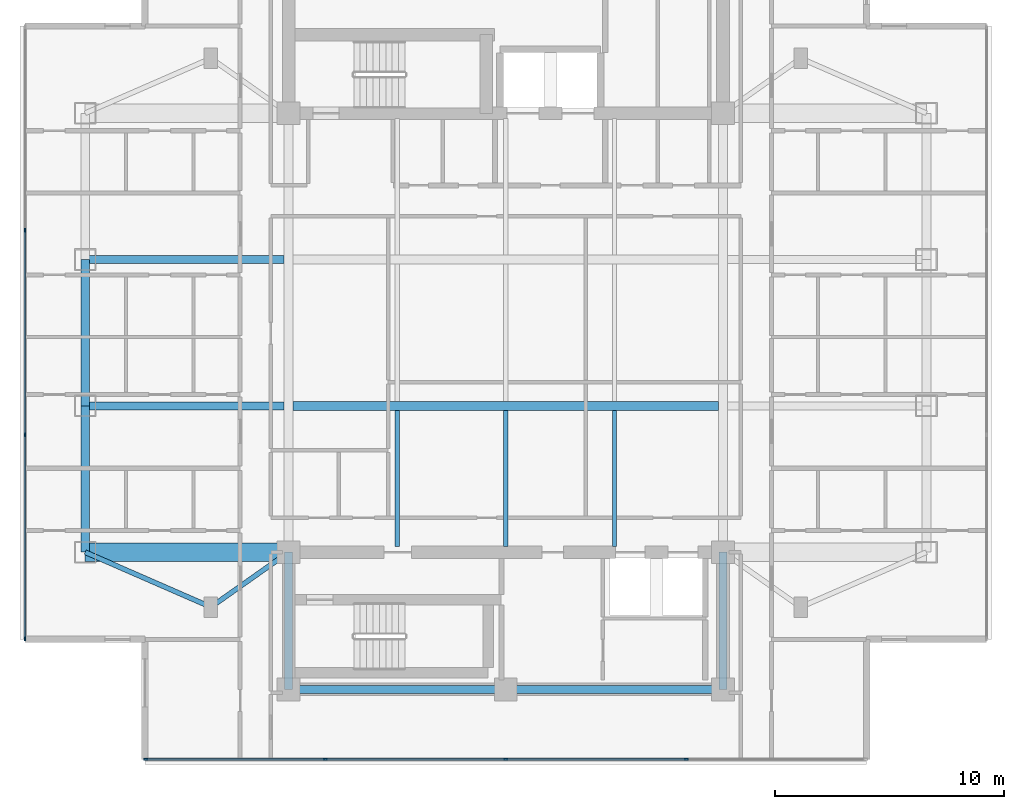
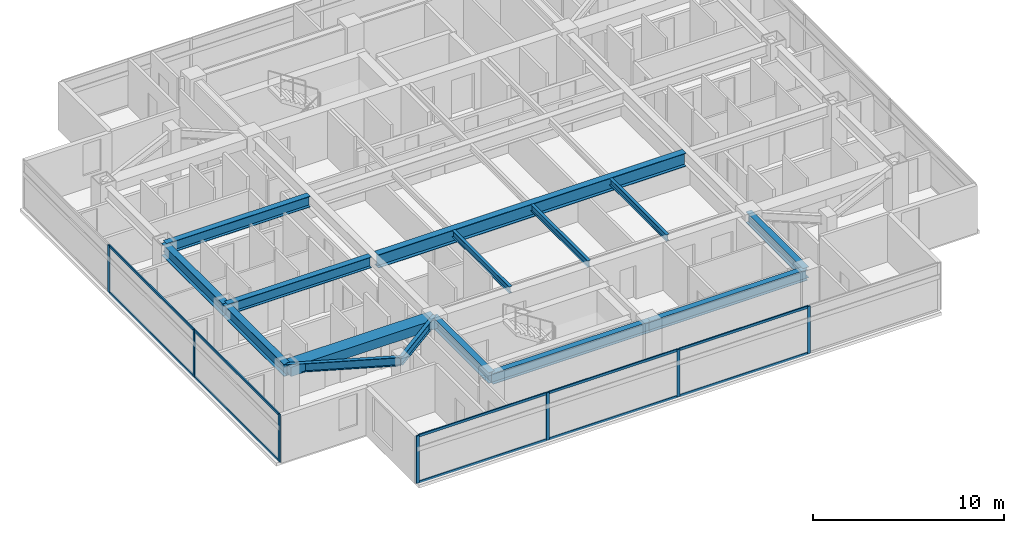
# One storey, part 2 of 26: 17 members, 15 beams, 2 elements without a shape of their own.
"""IFC4 building model written with IfcOpenShell, lengths in metres."""

from ifc_helpers import new_model, si_unit, direction, frame, origin, origin_2d, place, context, subcontext, project, spatial, rectangle, i_section, extrude, material, material_profile, profile_set, type_object, element, aggregate, save


model = new_model("IFC4")

# Units and contexts
model_context = context("Model", 3, precision=1e-05, world=origin(), true_north=direction((0.0, 1.0)))
body_context = subcontext(model_context, "Body", "Model", "MODEL_VIEW")
ifc_project = project(units=[si_unit("LENGTHUNIT", "METRE"), si_unit("AREAUNIT", "SQUARE_METRE"), si_unit("VOLUMEUNIT", "CUBIC_METRE"), si_unit("PLANEANGLEUNIT", "RADIAN"), si_unit("MASSUNIT", "GRAM", prefix="KILO")], contexts=[model_context])

# Site, building, storey
site_placement = place(None, origin())
site = spatial("IfcSite", under=ifc_project, at=site_placement, CompositionType="ELEMENT")
building_placement = place(site_placement, origin())
building = spatial("IfcBuilding", under=site, at=building_placement, Name="Mirazonda Arch Towers", CompositionType="ELEMENT")
storey_placement = place(building_placement, frame((0.0, 0.0, 170.64990234375)))
storey = spatial("IfcBuildingStorey", under=building, at=storey_placement, Name="L48", CompositionType="ELEMENT", Elevation=170.64990234375)

# Beams
ifc_material_1 = material(Name="Steel ASTM A992 Grade 50", Category="steel")
ifc_material_profile_1 = material_profile(ifc_material_1, i_section(OverallWidth=0.381103515625, OverallDepth=0.77294921875, WebThickness=0.0166015625, FlangeThickness=0.027099609375, at=origin_2d()), Name="W30X173")
ifc_profile_set_1 = profile_set([ifc_material_profile_1], Name="Steel ASTM A992 Grade 50")
beam_type_1 = type_object("IfcBeamType", Name="BM-EXT-W30X173", PredefinedType="USERDEFINED", material=ifc_profile_set_1)
beam_1_placement = place(storey_placement, frame((2.10009765625, 18.39990234375, 2.66357421875), z_axis=(0.0, 1.0, 0.0), x_axis=(-1.0, 0.0, 0.0)))
element("IfcBeam", 1, at=beam_1_placement, inside=storey, type_object=beam_type_1, Name="L48 Floor Beam BM-T1-L48-NS-W-18", ObjectType="GIRDER", PredefinedType="USERDEFINED", context=body_context, shape_type="SweptSolid", body=[
    extrude(i_section(OverallWidth=0.381103515625, OverallDepth=0.77294921875, WebThickness=0.0166015625, FlangeThickness=0.027099609375, at=origin_2d()), origin(), (0.0, 0.0, 1.0), 6.400146484375),
])
beam_2_placement = place(storey_placement, frame((2.10009765625, 24.800048828125, 2.66357421875), z_axis=(0.0, 1.0, 0.0), x_axis=(-1.0, 0.0, 0.0)))
element("IfcBeam", 2, at=beam_2_placement, inside=storey, type_object=beam_type_1, Name="L48 Floor Beam BM-T1-L48-NS-W-24", ObjectType="GIRDER", PredefinedType="USERDEFINED", context=body_context, shape_type="SweptSolid", body=[
    extrude(i_section(OverallWidth=0.381103515625, OverallDepth=0.77294921875, WebThickness=0.0166015625, FlangeThickness=0.027099609375, at=origin_2d()), origin(), (0.0, 0.0, 1.0), 6.39990234375),
])
ifc_material_profile_2 = material_profile(ifc_material_1, i_section(OverallWidth=0.180908203125, OverallDepth=0.4169921875, WebThickness=0.010986328125, FlangeThickness=0.018310546875, at=origin_2d()), Name="W16X57")
ifc_profile_set_2 = profile_set([ifc_material_profile_2], Name="Steel ASTM A992 Grade 50")
beam_type_2 = type_object("IfcBeamType", Name="BM-INT-W16X57", PredefinedType="JOIST", material=ifc_profile_set_2)
for number, where, z_axis, x_axis, name in (
    (3, (15.75, 18.639892578125, 2.841552734375), (0.0, 1.0, 0.0), (-1.0, 0.0, 0.0), "L48 Floor Beam BM-T1-L48-J-157-18"),
    (4, (20.5, 18.639892578125, 2.841552734375), (0.0, 1.0, 0.0), (-1.0, 0.0, 0.0), "L48 Floor Beam BM-T1-L48-J-205-18"),
    (5, (25.25, 18.639892578125, 2.841552734375), (0.0, 1.0, 0.0), (-1.0, 0.0, 0.0), "L48 Floor Beam BM-T1-L48-J-252-18"),
):
    element("IfcBeam", number, at=place(storey_placement, frame(where, z_axis=z_axis, x_axis=x_axis)), inside=storey, type_object=beam_type_2, Name=name, PredefinedType="JOIST", context=body_context, shape_type="SweptSolid", body=[
        extrude(i_section(OverallWidth=0.180908203125, OverallDepth=0.4169921875, WebThickness=0.010986328125, FlangeThickness=0.018310546875, at=origin_2d()), origin(), (0.0, 0.0, 1.0), 5.964111328125),
    ])
ifc_material_profile_3 = material_profile(ifc_material_1, i_section(OverallWidth=0.214111328125, OverallDepth=0.549072265625, WebThickness=0.0146484375, FlangeThickness=0.023681640625, at=origin_2d()), Name="W21X93")
ifc_profile_set_3 = profile_set([ifc_material_profile_3], Name="Steel ASTM A992 Grade 50")
beam_type_3 = type_object("IfcBeamType", Name="BM-INT-W21X93", PredefinedType="BEAM", material=ifc_profile_set_3)
beam_3_placement = place(storey_placement, frame((7.60009765625, 16.0, 2.775634765625), z_axis=(0.816971114901, 0.576678591087, 0.0), x_axis=(-0.576678591087, 0.816971114901, 0.0)))
element("IfcBeam", 6, at=beam_3_placement, inside=storey, type_object=beam_type_3, Name="L48 Floor Beam BM-T1-L48-PL-SW1", PredefinedType="BEAM", context=body_context, shape_type="SweptSolid", body=[
    extrude(i_section(OverallWidth=0.214111328125, OverallDepth=0.549072265625, WebThickness=0.0146484375, FlangeThickness=0.023681640625, at=origin_2d()), origin(), (0.0, 0.0, 1.0), 4.16162109375),
])
beam_4_placement = place(storey_placement, frame((7.60009765625, 16.0, 2.775634765625), z_axis=(-0.916545343703, 0.399930785183, 0.0), x_axis=(-0.399930785183, -0.916545343703, 0.0)))
element("IfcBeam", 7, at=beam_4_placement, inside=storey, type_object=beam_type_3, Name="L48 Floor Beam BM-T1-L48-PL-SW2", PredefinedType="BEAM", context=body_context, shape_type="SweptSolid", body=[
    extrude(i_section(OverallWidth=0.214111328125, OverallDepth=0.549072265625, WebThickness=0.0146484375, FlangeThickness=0.023681640625, at=origin_2d()), origin(), (0.0, 0.0, 1.0), 6.000732421875),
])
ifc_material_profile_4 = material_profile(ifc_material_1, i_section(OverallWidth=0.35498046875, OverallDepth=0.696044921875, WebThickness=0.015380859375, FlangeThickness=0.02490234375, at=origin_2d()), Name="W27X146")
ifc_profile_set_4 = profile_set([ifc_material_profile_4], Name="Steel ASTM A992 Grade 50")
beam_type_4 = type_object("IfcBeamType", Name="BM-INT-W27X146", PredefinedType="BEAM", material=ifc_profile_set_4)
for number, where, z_axis, x_axis, name in (
    (8, (2.10009765625, 24.800048828125, 2.7021484375), (1.0, 0.0, 0.0), (0.0, 1.0, 0.0), "L48 Floor Beam BM-T1-L48-GW2"),
    (9, (2.10009765625, 31.199951171875, 2.7021484375), (1.0, 0.0, 0.0), (0.0, 1.0, 0.0), "L48 Floor Beam BM-T1-L48-GW3"),
):
    element("IfcBeam", number, at=place(storey_placement, frame(where, z_axis=z_axis, x_axis=x_axis)), inside=storey, type_object=beam_type_4, Name=name, PredefinedType="BEAM", context=body_context, shape_type="SweptSolid", body=[
        extrude(i_section(OverallWidth=0.35498046875, OverallDepth=0.696044921875, WebThickness=0.015380859375, FlangeThickness=0.02490234375, at=origin_2d()), origin(), (0.0, 0.0, 1.0), 8.699951171875),
    ])
for number, where, z_axis, x_axis, name in (
    (10, (11.0, 12.39990234375, 2.7021484375), (1.0, 0.0, 0.0), (0.0, 1.0, 0.0), "L48 Floor Beam BM-T1-L48-CS1"),
    (11, (20.5, 12.39990234375, 2.7021484375), (1.0, 0.0, 0.0), (0.0, 1.0, 0.0), "L48 Floor Beam BM-T1-L48-CS2"),
):
    element("IfcBeam", number, at=place(storey_placement, frame(where, z_axis=z_axis, x_axis=x_axis)), inside=storey, type_object=beam_type_4, Name=name, PredefinedType="BEAM", context=body_context, shape_type="SweptSolid", body=[
        extrude(i_section(OverallWidth=0.35498046875, OverallDepth=0.696044921875, WebThickness=0.015380859375, FlangeThickness=0.02490234375, at=origin_2d()), origin(), (0.0, 0.0, 1.0), 9.5),
    ])
for number, where, z_axis, x_axis, name in (
    (12, (11.0, 12.39990234375, 2.7021484375), (0.0, 1.0, 0.0), (-1.0, 0.0, 0.0), "L48 Floor Beam BM-T1-L48-CSW"),
    (13, (30.0, 12.39990234375, 2.7021484375), (0.0, 1.0, 0.0), (-1.0, 0.0, 0.0), "L48 Floor Beam BM-T1-L48-CSE"),
):
    element("IfcBeam", number, at=place(storey_placement, frame(where, z_axis=z_axis, x_axis=x_axis)), inside=storey, type_object=beam_type_4, Name=name, PredefinedType="BEAM", context=body_context, shape_type="SweptSolid", body=[
        extrude(i_section(OverallWidth=0.35498046875, OverallDepth=0.696044921875, WebThickness=0.015380859375, FlangeThickness=0.02490234375, at=origin_2d()), origin(), (0.0, 0.0, 1.0), 6.0),
    ])
ifc_material_profile_5 = material_profile(ifc_material_1, i_section(OverallWidth=0.39990234375, OverallDepth=0.85595703125, WebThickness=0.018310546875, FlangeThickness=0.029296875, at=origin_2d()), Name="W33X201")
ifc_profile_set_5 = profile_set([ifc_material_profile_5], Name="Steel ASTM A992 Grade 50")
beam_type_5 = type_object("IfcBeamType", Name="BM-INT-W33X201", PredefinedType="USERDEFINED", material=ifc_profile_set_5)
beam_5_placement = place(storey_placement, frame((11.199951171875, 24.800048828125, 2.6220703125), z_axis=(1.0, 0.0, 0.0), x_axis=(0.0, 1.0, 0.0)))
element("IfcBeam", 14, at=beam_5_placement, inside=storey, type_object=beam_type_5, Name="L48 Floor Beam BM-T1-L48-GC2", ObjectType="GIRDER", PredefinedType="USERDEFINED", context=body_context, shape_type="SweptSolid", body=[
    extrude(i_section(OverallWidth=0.39990234375, OverallDepth=0.85595703125, WebThickness=0.018310546875, FlangeThickness=0.029296875, at=origin_2d()), origin(), (0.0, 0.0, 1.0), 18.60009765625),
])
ifc_material_2 = material(Name="Concrete C60/75", Category="concrete")
ifc_material_profile_6 = material_profile(ifc_material_2, rectangle(XDim=0.800048828125, YDim=0.60009765625, at=origin_2d()), Name="RCCB800x600")
ifc_profile_set_6 = profile_set([ifc_material_profile_6], Name="Concrete C60/75")
beam_type_6 = type_object("IfcBeamType", Name="CB-INT-RCCB800x600", PredefinedType="SPANDREL", material=ifc_profile_set_6)
beam_6_placement = place(storey_placement, frame((2.10009765625, 18.39990234375, 2.75), z_axis=(1.0, 0.0, 0.0), x_axis=(0.0, 1.0, 0.0)))
element("IfcBeam", 15, at=beam_6_placement, inside=storey, type_object=beam_type_6, Name="L48 Floor Beam CBC-T1-L48-SW", PredefinedType="SPANDREL", context=body_context, shape_type="SweptSolid", body=[
    extrude(rectangle(XDim=0.800048828125, YDim=0.60009765625, at=origin_2d()), origin(), (0.0, 0.0, 1.0), 8.89990234375),
])

# Curtain wall, members
ifc_material_3 = material(Name="Anodised Aluminium and Low-E Glass", Category="aluminium")
curtain_wall_type = type_object("IfcCurtainWallType", Name="CW-RES-UNIT", PredefinedType="NOTDEFINED", material=ifc_material_3)
curtain_wall_1_placement = place(storey_placement, origin())
curtain_wall_1 = element("IfcCurtainWall", 16, at=curtain_wall_1_placement, inside=storey, type_object=curtain_wall_type, Name="L48 T1 S Facade CW-L48-T1-S", PredefinedType="NOTDEFINED")
ifc_material_4 = material(Name="Anodised Aluminium Alloy", Category="aluminium")
ifc_material_profile_7 = material_profile(ifc_material_4, rectangle(XDim=0.074951171875, YDim=0.175048828125, at=origin_2d()), Name="ALU-MULL-75x175")
ifc_profile_set_7 = profile_set([ifc_material_profile_7], Name="Anodised Aluminium Alloy")
member_type_1 = type_object("IfcMemberType", Name="MULL-CW-RES-UNIT", PredefinedType="MULLION", material=ifc_profile_set_7)
member_1_placement = place(storey_placement, frame((28.392578125, 9.340087890625, 0.0), z_axis=(0.0, 0.0, 1.0), x_axis=(0.0, -1.0, 0.0)))
member_1 = element("IfcMember", 17, at=member_1_placement, type_object=member_type_1, Name="CW-104 mullion 2", PredefinedType="MULLION", context=body_context, shape_type="SweptSolid", body=[
    extrude(rectangle(XDim=0.074951171875, YDim=0.175048828125, at=origin_2d()), origin(), (0.0, 0.0, 1.0), 3.030029296875),
])
member_2_placement = place(storey_placement, frame((20.5, 9.340087890625, 0.0), z_axis=(0.0, 0.0, 1.0), x_axis=(0.0, -1.0, 0.0)))
member_2 = element("IfcMember", 18, at=member_2_placement, type_object=member_type_1, Name="CW-104 mullion 3", PredefinedType="MULLION", context=body_context, shape_type="SweptSolid", body=[
    extrude(rectangle(XDim=0.074951171875, YDim=0.175048828125, at=origin_2d()), origin(), (0.0, 0.0, 1.0), 3.030029296875),
])
member_3_placement = place(storey_placement, frame((12.607421875, 9.340087890625, 0.0), z_axis=(0.0, 0.0, 1.0), x_axis=(0.0, -1.0, 0.0)))
member_3 = element("IfcMember", 19, at=member_3_placement, type_object=member_type_1, Name="CW-104 mullion 4", PredefinedType="MULLION", context=body_context, shape_type="SweptSolid", body=[
    extrude(rectangle(XDim=0.074951171875, YDim=0.175048828125, at=origin_2d()), origin(), (0.0, 0.0, 1.0), 3.030029296875),
])
member_4_placement = place(storey_placement, frame((4.75244140625, 9.340087890625, 0.0), z_axis=(0.0, 0.0, 1.0), x_axis=(0.0, -1.0, 0.0)))
member_4 = element("IfcMember", 20, at=member_4_placement, type_object=member_type_1, Name="CW-104 mullion 5", PredefinedType="MULLION", context=body_context, shape_type="SweptSolid", body=[
    extrude(rectangle(XDim=0.074951171875, YDim=0.175048828125, at=origin_2d()), origin(), (0.0, 0.0, 1.0), 3.030029296875),
])

curtain_wall_2_placement = place(storey_placement, origin())
curtain_wall_2 = element("IfcCurtainWall", 21, at=curtain_wall_2_placement, inside=storey, type_object=curtain_wall_type, Name="L48 T1 W Facade CW-L48-T1-W", PredefinedType="NOTDEFINED")
member_5_placement = place(storey_placement, frame((-0.530029296875, 32.4716796875, 0.0), z_axis=(0.0, 0.0, 1.0), x_axis=(1.0, 0.0, 0.0)))
member_5 = element("IfcMember", 22, at=member_5_placement, type_object=member_type_1, Name="CW-104 mullion 2", PredefinedType="MULLION", context=body_context, shape_type="SweptSolid", body=[
    extrude(rectangle(XDim=0.074951171875, YDim=0.175048828125, at=origin_2d()), origin(), (0.0, 0.0, 1.0), 3.030029296875),
])
member_6_placement = place(storey_placement, frame((-0.530029296875, 23.5283203125, 0.0), z_axis=(0.0, 0.0, 1.0), x_axis=(1.0, 0.0, 0.0)))
member_6 = element("IfcMember", 23, at=member_6_placement, type_object=member_type_1, Name="CW-104 mullion 3", PredefinedType="MULLION", context=body_context, shape_type="SweptSolid", body=[
    extrude(rectangle(XDim=0.074951171875, YDim=0.175048828125, at=origin_2d()), origin(), (0.0, 0.0, 1.0), 3.030029296875),
])
member_7_placement = place(storey_placement, frame((-0.530029296875, 14.62255859375, 0.0), z_axis=(0.0, 0.0, 1.0), x_axis=(1.0, 0.0, 0.0)))
member_7 = element("IfcMember", 24, at=member_7_placement, type_object=member_type_1, Name="CW-104 mullion 4", PredefinedType="MULLION", context=body_context, shape_type="SweptSolid", body=[
    extrude(rectangle(XDim=0.074951171875, YDim=0.175048828125, at=origin_2d()), origin(), (0.0, 0.0, 1.0), 3.030029296875),
])

# Member
ifc_material_profile_8 = material_profile(ifc_material_4, rectangle(XDim=0.074951171875, YDim=0.155029296875, at=origin_2d()), Name="ALU-TRAN-75x155")
ifc_profile_set_8 = profile_set([ifc_material_profile_8], Name="Anodised Aluminium Alloy")
member_type_2 = type_object("IfcMemberType", Name="TRAN-CW-RES-UNIT", PredefinedType="USERDEFINED", material=ifc_profile_set_8)
member_8_placement = place(storey_placement, frame((28.35498046875, 9.340087890625, 0.03759765625), z_axis=(-1.0, 0.0, 0.0), x_axis=(0.0, -1.0, 0.0)))
member_8 = element("IfcMember", 25, at=member_8_placement, type_object=member_type_2, Name="CW-104 transom 2.1", ObjectType="TRANSOM", PredefinedType="USERDEFINED", context=body_context, shape_type="SweptSolid", body=[
    extrude(rectangle(XDim=0.074951171875, YDim=0.155029296875, at=origin_2d()), origin(), (0.0, 0.0, 1.0), 7.8173828125),
])

member_9_placement = place(storey_placement, frame((28.35498046875, 9.340087890625, 2.99267578125), z_axis=(-1.0, 0.0, 0.0), x_axis=(0.0, -1.0, 0.0)))
member_9 = element("IfcMember", 26, at=member_9_placement, type_object=member_type_2, Name="CW-104 transom 2.2", ObjectType="TRANSOM", PredefinedType="USERDEFINED", context=body_context, shape_type="SweptSolid", body=[
    extrude(rectangle(XDim=0.074951171875, YDim=0.155029296875, at=origin_2d()), origin(), (0.0, 0.0, 1.0), 7.8173828125),
])

member_10_placement = place(storey_placement, frame((20.46240234375, 9.340087890625, 0.03759765625), z_axis=(-1.0, 0.0, 0.0), x_axis=(0.0, -1.0, 0.0)))
member_10 = element("IfcMember", 27, at=member_10_placement, type_object=member_type_2, Name="CW-104 transom 3.1", ObjectType="TRANSOM", PredefinedType="USERDEFINED", context=body_context, shape_type="SweptSolid", body=[
    extrude(rectangle(XDim=0.074951171875, YDim=0.155029296875, at=origin_2d()), origin(), (0.0, 0.0, 1.0), 7.8173828125),
])

member_11_placement = place(storey_placement, frame((20.46240234375, 9.340087890625, 2.99267578125), z_axis=(-1.0, 0.0, 0.0), x_axis=(0.0, -1.0, 0.0)))
member_11 = element("IfcMember", 28, at=member_11_placement, type_object=member_type_2, Name="CW-104 transom 3.2", ObjectType="TRANSOM", PredefinedType="USERDEFINED", context=body_context, shape_type="SweptSolid", body=[
    extrude(rectangle(XDim=0.074951171875, YDim=0.155029296875, at=origin_2d()), origin(), (0.0, 0.0, 1.0), 7.8173828125),
])

member_12_placement = place(storey_placement, frame((12.570068359375, 9.340087890625, 0.03759765625), z_axis=(-1.0, 0.0, 0.0), x_axis=(0.0, -1.0, 0.0)))
member_12 = element("IfcMember", 29, at=member_12_placement, type_object=member_type_2, Name="CW-104 transom 4.1", ObjectType="TRANSOM", PredefinedType="USERDEFINED", context=body_context, shape_type="SweptSolid", body=[
    extrude(rectangle(XDim=0.074951171875, YDim=0.155029296875, at=origin_2d()), origin(), (0.0, 0.0, 1.0), 7.780029296875),
])

member_13_placement = place(storey_placement, frame((12.570068359375, 9.340087890625, 2.99267578125), z_axis=(-1.0, 0.0, 0.0), x_axis=(0.0, -1.0, 0.0)))
member_13 = element("IfcMember", 30, at=member_13_placement, type_object=member_type_2, Name="CW-104 transom 4.2", ObjectType="TRANSOM", PredefinedType="USERDEFINED", context=body_context, shape_type="SweptSolid", body=[
    extrude(rectangle(XDim=0.074951171875, YDim=0.155029296875, at=origin_2d()), origin(), (0.0, 0.0, 1.0), 7.780029296875),
])

aggregate(curtain_wall_1, [member_1, member_2, member_3, member_4, member_8, member_9, member_10, member_11, member_12, member_13])

member_14_placement = place(storey_placement, frame((-0.530029296875, 32.43408203125, 0.03759765625), z_axis=(0.0, -1.0, 0.0), x_axis=(1.0, 0.0, 0.0)))
member_14 = element("IfcMember", 31, at=member_14_placement, type_object=member_type_2, Name="CW-104 transom 2.1", ObjectType="TRANSOM", PredefinedType="USERDEFINED", context=body_context, shape_type="SweptSolid", body=[
    extrude(rectangle(XDim=0.074951171875, YDim=0.155029296875, at=origin_2d()), origin(), (0.0, 0.0, 1.0), 8.8681640625),
])

member_15_placement = place(storey_placement, frame((-0.530029296875, 32.43408203125, 2.99267578125), z_axis=(0.0, -1.0, 0.0), x_axis=(1.0, 0.0, 0.0)))
member_15 = element("IfcMember", 32, at=member_15_placement, type_object=member_type_2, Name="CW-104 transom 2.2", ObjectType="TRANSOM", PredefinedType="USERDEFINED", context=body_context, shape_type="SweptSolid", body=[
    extrude(rectangle(XDim=0.074951171875, YDim=0.155029296875, at=origin_2d()), origin(), (0.0, 0.0, 1.0), 8.8681640625),
])

member_16_placement = place(storey_placement, frame((-0.530029296875, 23.49072265625, 0.03759765625), z_axis=(0.0, -1.0, 0.0), x_axis=(1.0, 0.0, 0.0)))
member_16 = element("IfcMember", 33, at=member_16_placement, type_object=member_type_2, Name="CW-104 transom 3.1", ObjectType="TRANSOM", PredefinedType="USERDEFINED", context=body_context, shape_type="SweptSolid", body=[
    extrude(rectangle(XDim=0.074951171875, YDim=0.155029296875, at=origin_2d()), origin(), (0.0, 0.0, 1.0), 8.830810546875),
])

member_17_placement = place(storey_placement, frame((-0.530029296875, 23.49072265625, 2.99267578125), z_axis=(0.0, -1.0, 0.0), x_axis=(1.0, 0.0, 0.0)))
member_17 = element("IfcMember", 34, at=member_17_placement, type_object=member_type_2, Name="CW-104 transom 3.2", ObjectType="TRANSOM", PredefinedType="USERDEFINED", context=body_context, shape_type="SweptSolid", body=[
    extrude(rectangle(XDim=0.074951171875, YDim=0.155029296875, at=origin_2d()), origin(), (0.0, 0.0, 1.0), 8.830810546875),
])

aggregate(curtain_wall_2, [member_5, member_6, member_7, member_14, member_15, member_16, member_17])

save(model, "model.ifc")
